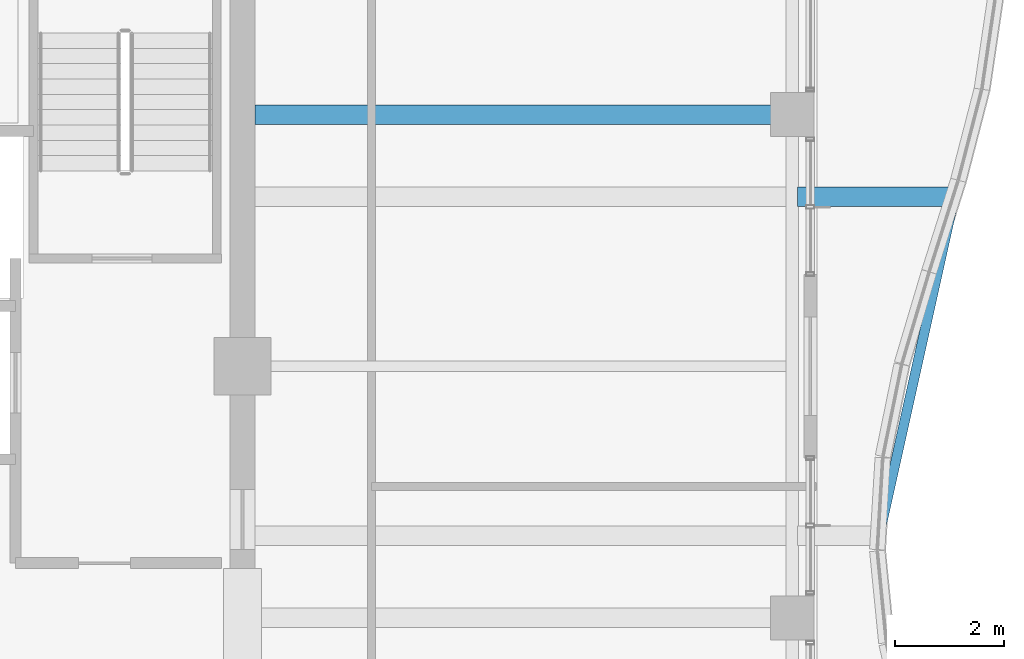
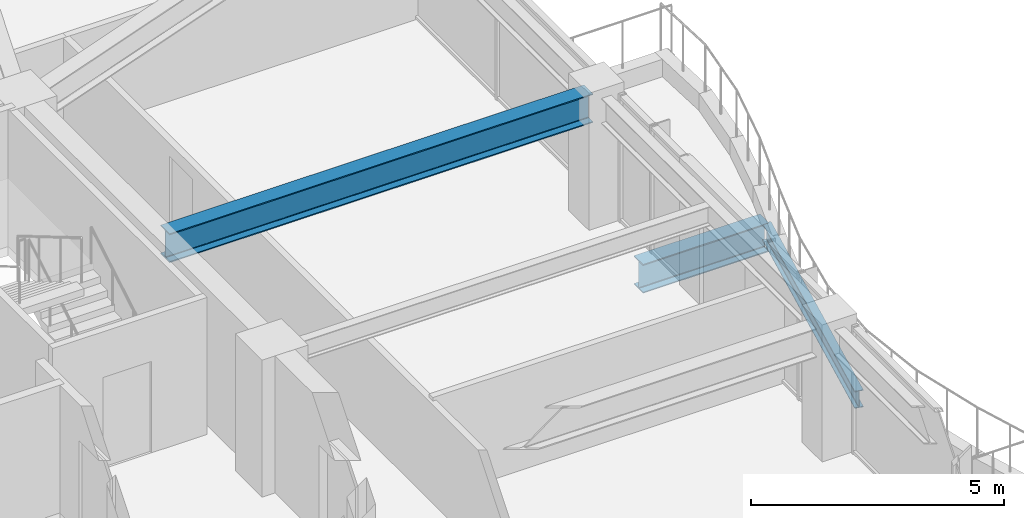
# One storey, part 14 of 34: 3 beams.
"""IFC4 building model written with IfcOpenShell, lengths in metres."""

from ifc_helpers import new_model, si_unit, direction, frame, origin, origin_2d, place, context, subcontext, project, spatial, i_section, extrude, material, material_profile, profile_set, type_object, element, save


model = new_model("IFC4")

# Units and contexts
model_context = context("Model", 3, precision=1e-05, world=origin(), true_north=direction((0.0, 1.0)))
body_context = subcontext(model_context, "Body", "Model", "MODEL_VIEW")
ifc_project = project(units=[si_unit("LENGTHUNIT", "METRE"), si_unit("AREAUNIT", "SQUARE_METRE"), si_unit("VOLUMEUNIT", "CUBIC_METRE"), si_unit("PLANEANGLEUNIT", "RADIAN"), si_unit("MASSUNIT", "GRAM", prefix="KILO")], contexts=[model_context])

# Site, building, storey
site_placement = place(None, origin())
site = spatial("IfcSite", under=ifc_project, at=site_placement, CompositionType="ELEMENT")
building_placement = place(site_placement, origin())
building = spatial("IfcBuilding", under=site, at=building_placement, Name="Kolvaren Belvedere", CompositionType="ELEMENT")
storey_placement = place(building_placement, frame((0.0, 0.0, 222.89990234375)))
storey = spatial("IfcBuildingStorey", under=building, at=storey_placement, Name="L65", CompositionType="ELEMENT", Elevation=222.89990234375)

# Beams
ifc_material_1 = material(Name="Structural steel ASTM A992 Grade 50", Category="steel")
ifc_material_profile_1 = material_profile(ifc_material_1, i_section(OverallWidth=0.35498046875, OverallDepth=0.696044921875, WebThickness=0.015380859375, FlangeThickness=0.02490234375, FilletRadius=0.02197265625, at=origin_2d()), Name="W27X146")
ifc_profile_set_1 = profile_set([ifc_material_profile_1], Name="Structural steel ASTM A992 Grade 50")
beam_type_1 = type_object("IfcBeamType", Name="BM-CANT-BAL", PredefinedType="BEAM", material=ifc_profile_set_1)
beam_1_placement = place(storey_placement, frame((20.044921875, 3.10009765625, -0.56787109375), z_axis=(1.0, 0.0, 0.0), x_axis=(0.0, 1.0, 0.0)))
element("IfcBeam", 1, at=beam_1_placement, inside=storey, type_object=beam_type_1, Name="L65 Planted Balcony Cantilever BAL-E-2", PredefinedType="BEAM", context=body_context, shape_type="SweptSolid", body=[
    extrude(i_section(OverallWidth=0.35498046875, OverallDepth=0.696044921875, WebThickness=0.015380859375, FlangeThickness=0.02490234375, FilletRadius=0.02197265625, at=origin_2d()), origin(), (0.0, 0.0, 1.0), 2.8701171875),
])
ifc_material_2 = material(Name="Structural steel ASTM A992 Grade 50", Category="steel")
ifc_material_profile_2 = material_profile(ifc_material_2, i_section(OverallWidth=0.180908203125, OverallDepth=0.4169921875, WebThickness=0.010986328125, FlangeThickness=0.018310546875, FilletRadius=0.013916015625, at=origin_2d()), Name="W16X57")
ifc_profile_set_2 = profile_set([ifc_material_profile_2], Name="Structural steel ASTM A992 Grade 50")
beam_type_2 = type_object("IfcBeamType", Name="BM-EDGE-W16X57", PredefinedType="BEAM", material=ifc_profile_set_2)
beam_2_placement = place(storey_placement, frame((21.568115234375, -2.96337890625, -0.428466796875), z_axis=(0.216866590272, 0.97620125078, 0.0), x_axis=(-0.97620125078, 0.216866590272, 0.0)))
element("IfcBeam", 2, at=beam_2_placement, inside=storey, type_object=beam_type_2, Name="L65 Balcony Tip Header Beam BAL-E", PredefinedType="BEAM", context=body_context, shape_type="SweptSolid", body=[
    extrude(i_section(OverallWidth=0.180908203125, OverallDepth=0.4169921875, WebThickness=0.010986328125, FlangeThickness=0.018310546875, FilletRadius=0.013916015625, at=origin_2d()), origin(), (0.0, 0.0, 1.0), 6.0712890625),
])
ifc_material_3 = material(Name="Structural steel ASTM A992 Grade 50", Category="steel")
ifc_material_profile_3 = material_profile(ifc_material_3, i_section(OverallWidth=0.35498046875, OverallDepth=0.696044921875, WebThickness=0.015380859375, FlangeThickness=0.02490234375, FilletRadius=0.02197265625, at=origin_2d()), Name="W27X146")
ifc_profile_set_3 = profile_set([ifc_material_profile_3], Name="Structural steel ASTM A992 Grade 50")
beam_type_3 = type_object("IfcBeamType", Name="BM-GIRD-W27X146", PredefinedType="BEAM", material=ifc_profile_set_3)
beam_3_placement = place(storey_placement, frame((10.125, 4.60009765625, 2.732177734375), z_axis=(1.0, 0.0, 0.0), x_axis=(0.0, 1.0, 0.0)))
element("IfcBeam", 3, at=beam_3_placement, inside=storey, type_object=beam_type_3, Name="L65 East Radial Girder P", PredefinedType="BEAM", context=body_context, shape_type="SweptSolid", body=[
    extrude(i_section(OverallWidth=0.35498046875, OverallDepth=0.696044921875, WebThickness=0.015380859375, FlangeThickness=0.02490234375, FilletRadius=0.02197265625, at=origin_2d()), origin(), (0.0, 0.0, 1.0), 9.64501953125),
])

save(model, "model.ifc")
